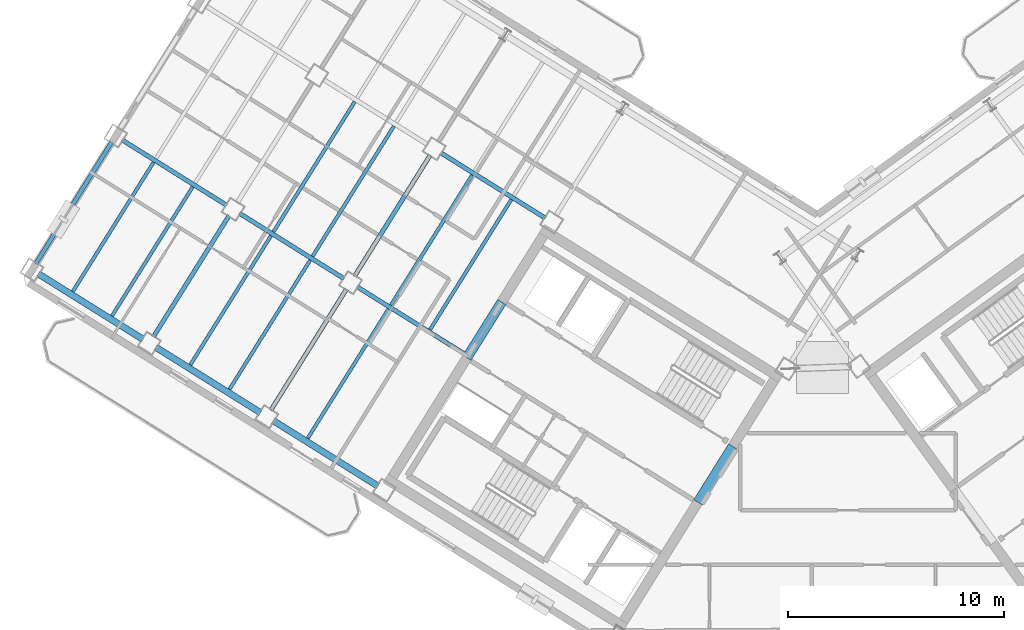
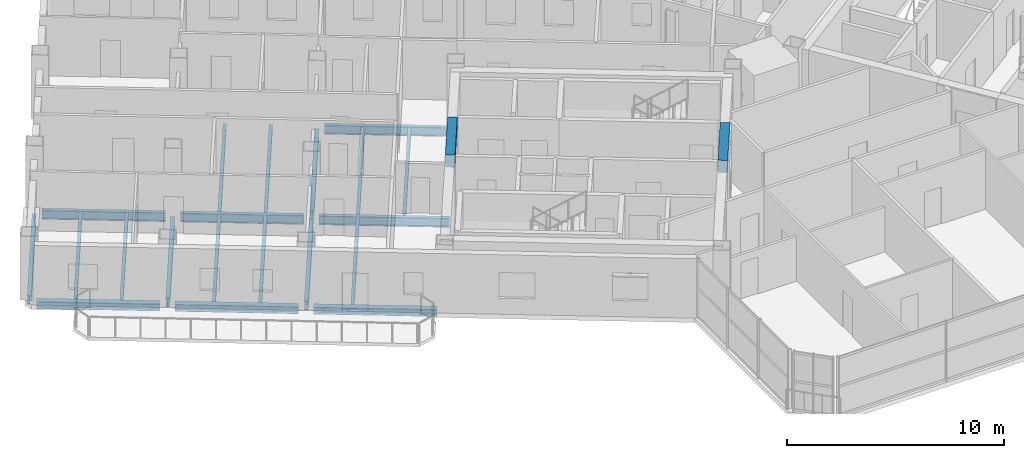
# One storey, part 5 of 23: 22 beams.
"""IFC4 building model written with IfcOpenShell, lengths in metres."""

from ifc_helpers import new_model, si_unit, direction, frame, origin, origin_2d, place, context, subcontext, project, spatial, rectangle, i_section, extrude, source, transform, mapped, material, material_profile, profile_set, type_object, element, save


model = new_model("IFC4")

# Units and contexts
model_context = context("Model", 3, precision=1e-05, world=origin(), true_north=direction((0.0, 1.0)))
body_context = subcontext(model_context, "Body", "Model", "MODEL_VIEW")
ifc_project = project(units=[si_unit("LENGTHUNIT", "METRE"), si_unit("AREAUNIT", "SQUARE_METRE"), si_unit("VOLUMEUNIT", "CUBIC_METRE"), si_unit("PLANEANGLEUNIT", "RADIAN"), si_unit("MASSUNIT", "GRAM", prefix="KILO")], contexts=[model_context])

# Site, building, storey
site_placement = place(None, origin())
site = spatial("IfcSite", under=ifc_project, at=site_placement, CompositionType="ELEMENT")
building_placement = place(site_placement, origin())
building = spatial("IfcBuilding", under=site, at=building_placement, Name="Tlacorven Tower", CompositionType="ELEMENT")
storey_placement = place(building_placement, frame((0.0, 0.0, 218.39990234375)))
storey = spatial("IfcBuildingStorey", under=building, at=storey_placement, Name="L55", CompositionType="ELEMENT", Elevation=218.39990234375)

# Beams
ifc_material_1 = material(Name="Concrete C60/75", Category="concrete")
ifc_material_profile_1 = material_profile(ifc_material_1, rectangle(XDim=0.449951171875, YDim=0.699951171875, at=origin_2d()), Name="RC 450X700")
ifc_profile_set_1 = profile_set([ifc_material_profile_1], Name="Concrete C60/75")
beam_type_1 = type_object("IfcBeamType", Name="BM-LNT-700", PredefinedType="LINTEL", material=ifc_profile_set_1)
shared_shape_1 = source(origin(), body_context, "Body", "SweptSolid", [
    extrude(rectangle(XDim=0.449951171875, YDim=0.699951171875, at=origin_2d()), origin(), (0.0, 0.0, 1.0), 3.050048828125),
])
beam_1_placement = place(storey_placement, frame((38.2998046875, 20.890625, 3.0), z_axis=(-0.529984549635, -0.848007297815, 0.0), x_axis=(0.848007297815, -0.529984549635, 0.0)))
element("IfcBeam", 1, at=beam_1_placement, inside=storey, type_object=beam_type_1, Name="L55 W core coupling lintel beam E1", PredefinedType="LINTEL", context=body_context, shape_type="MappedRepresentation", body=[
    mapped(shared_shape_1, transform((0.0, 0.0, 0.0), scale=1.0)),
])
shared_shape_2 = source(origin(), body_context, "Body", "SweptSolid", [
    extrude(rectangle(XDim=0.449951171875, YDim=0.699951171875, at=origin_2d()), origin(), (0.0, 0.0, 1.0), 3.0498046875),
])
beam_2_placement = place(storey_placement, frame((27.622802734375, 27.562255859375, 3.0), z_axis=(-0.529926983584, -0.848043272522, 0.0), x_axis=(0.848043272522, -0.529926983584, 0.0)))
element("IfcBeam", 2, at=beam_2_placement, inside=storey, type_object=beam_type_1, Name="L55 W core coupling lintel beam E2", PredefinedType="LINTEL", context=body_context, shape_type="MappedRepresentation", body=[
    mapped(shared_shape_2, transform((0.0, 0.0, 0.0), scale=1.0)),
])
ifc_material_2 = material(Name="Steel S355J2", Category="steel")
ifc_material_profile_2 = material_profile(ifc_material_2, i_section(OverallWidth=0.199951171875, OverallDepth=0.5, WebThickness=0.01025390625, FlangeThickness=0.01611328125, at=origin_2d()), Name="IPE 500")
ifc_profile_set_2 = profile_set([ifc_material_profile_2], Name="Steel S355J2")
beam_type_2 = type_object("IfcBeamType", Name="BM-TWR-500", PredefinedType="BEAM", material=ifc_profile_set_2)
shared_shape_3 = source(origin(), body_context, "Body", "SweptSolid", [
    extrude(i_section(OverallWidth=0.199951171875, OverallDepth=0.5, WebThickness=0.01025390625, FlangeThickness=0.01611328125, at=origin_2d()), origin(), (0.0, 0.0, 1.0), 6.010009765625),
])
beam_3_placement = place(storey_placement, frame((26.025634765625, 25.081787109375, -0.5), z_axis=(-0.848043944584, 0.529925908081, 0.0), x_axis=(-0.529925908081, -0.848043944584, 0.0)))
element("IfcBeam", 3, at=beam_3_placement, inside=storey, type_object=beam_type_2, Name="L55 beam BM-L55-WL3-3", PredefinedType="BEAM", context=body_context, shape_type="MappedRepresentation", body=[
    mapped(shared_shape_3, transform((0.0, 0.0, 0.0), scale=1.0)),
])
shared_shape_4 = source(origin(), body_context, "Body", "SweptSolid", [
    extrude(i_section(OverallWidth=0.199951171875, OverallDepth=0.5, WebThickness=0.01025390625, FlangeThickness=0.01611328125, at=origin_2d()), origin(), (0.0, 0.0, 1.0), 5.7001953125),
])
for number, where, z_axis, x_axis, name in (
    (4, (20.335205078125, 28.637451171875, -0.5), (-0.848036800771, 0.529937340199, 0.0), (-0.529937340199, -0.848036800771, 0.0), "L55 beam BM-L55-WL3-4"),
    (5, (14.90771484375, 32.029052734375, -0.5), (-0.848056048787, 0.529906537151, 0.0), (-0.529906537151, -0.848056048787, 0.0), "L55 beam BM-L55-WL3-5"),
):
    element("IfcBeam", number, at=place(storey_placement, frame(where, z_axis=z_axis, x_axis=x_axis)), inside=storey, type_object=beam_type_2, Name=name, PredefinedType="BEAM", context=body_context, shape_type="MappedRepresentation", body=[
        mapped(shared_shape_4, transform((0.0, 0.0, 0.0), scale=1.0)),
    ])
shared_shape_5 = source(origin(), body_context, "Body", "SweptSolid", [
    extrude(i_section(OverallWidth=0.199951171875, OverallDepth=0.5, WebThickness=0.01025390625, FlangeThickness=0.01611328125, at=origin_2d()), origin(), (0.0, 0.0, 1.0), 5.699951171875),
])
beam_4_placement = place(storey_placement, frame((29.631103515625, 31.436767578125, -0.5), z_axis=(-0.848044021115, 0.529925785607, 0.0), x_axis=(-0.529925785607, -0.848044021115, 0.0)))
element("IfcBeam", 6, at=beam_4_placement, inside=storey, type_object=beam_type_2, Name="L55 beam BM-L55-WL2-3", PredefinedType="BEAM", context=body_context, shape_type="MappedRepresentation", body=[
    mapped(shared_shape_5, transform((0.0, 0.0, 0.0), scale=1.0)),
])
shared_shape_6 = source(origin(), body_context, "Body", "SweptSolid", [
    extrude(i_section(OverallWidth=0.199951171875, OverallDepth=0.5, WebThickness=0.01025390625, FlangeThickness=0.01611328125, at=origin_2d()), origin(), (0.0, 0.0, 1.0), 6.599853515625),
])
beam_5_placement = place(storey_placement, frame((24.31494140625, 34.345947265625, -0.5), z_axis=(-0.529942412256, -0.848033631227, 0.0), x_axis=(0.848033631227, -0.529942412256, 0.0)))
element("IfcBeam", 7, at=beam_5_placement, inside=storey, type_object=beam_type_2, Name="L55 beam BM-L55-WT4-2", PredefinedType="BEAM", context=body_context, shape_type="MappedRepresentation", body=[
    mapped(shared_shape_6, transform((0.0, 0.0, 0.0), scale=1.0)),
])
shared_shape_7 = source(origin(), body_context, "Body", "SweptSolid", [
    extrude(i_section(OverallWidth=0.199951171875, OverallDepth=0.5, WebThickness=0.01025390625, FlangeThickness=0.01611328125, at=origin_2d()), origin(), (0.0, 0.0, 1.0), 6.60009765625),
])
for number, where, z_axis, x_axis, name in (
    (8, (20.446533203125, 28.1552734375, -0.5), (-0.529925788294, -0.848044019436, 0.0), (0.848044019436, -0.529925788294, 0.0), "L55 beam BM-L55-WT4-3"),
    (9, (15.01904296875, 31.546875, -0.5), (-0.529925788294, -0.848044019436, 0.0), (0.848044019436, -0.529925788294, 0.0), "L55 beam BM-L55-WT5-3"),
    (10, (9.591552734375, 34.938232421875, -0.5), (-0.529925788294, -0.848044019436, 0.0), (0.848044019436, -0.529925788294, 0.0), "L55 beam BM-L55-WT6-3"),
):
    element("IfcBeam", number, at=place(storey_placement, frame(where, z_axis=z_axis, x_axis=x_axis)), inside=storey, type_object=beam_type_2, Name=name, PredefinedType="BEAM", context=body_context, shape_type="MappedRepresentation", body=[
        mapped(shared_shape_7, transform((0.0, 0.0, 0.0), scale=1.0)),
    ])
ifc_material_profile_3 = material_profile(ifc_material_2, i_section(OverallWidth=0.159912109375, OverallDepth=0.330078125, WebThickness=0.007568359375, FlangeThickness=0.011474609375, at=origin_2d()), Name="IPE 330")
ifc_profile_set_3 = profile_set([ifc_material_profile_3], Name="Steel S355J2")
beam_type_3 = type_object("IfcBeamType", Name="BM-JST-330", PredefinedType="JOIST", material=ifc_profile_set_3)
shared_shape_8 = source(origin(), body_context, "Body", "SweptSolid", [
    extrude(i_section(OverallWidth=0.159912109375, OverallDepth=0.330078125, WebThickness=0.007568359375, FlangeThickness=0.011474609375, at=origin_2d()), origin(), (0.0, 0.0, 1.0), 7.0400390625),
])
for number, where, z_axis, x_axis, name in (
    (11, (18.767333984375, 29.493408203125, -0.414794921875), (-0.529930359501, -0.848041162963, 0.0), (0.848041162963, -0.529930359501, 0.0), "L55 beam BM-L55-WJ4-3-1"),
    (12, (16.9580078125, 30.6240234375, -0.414794921875), (-0.529930359501, -0.848041162963, 0.0), (0.848041162963, -0.529930359501, 0.0), "L55 beam BM-L55-WJ4-3-2"),
    (13, (13.33984375, 32.885009765625, -0.414794921875), (-0.529930359501, -0.848041162963, 0.0), (0.848041162963, -0.529930359501, 0.0), "L55 beam BM-L55-WJ5-3-1"),
):
    element("IfcBeam", number, at=place(storey_placement, frame(where, z_axis=z_axis, x_axis=x_axis)), inside=storey, type_object=beam_type_3, Name=name, PredefinedType="JOIST", context=body_context, shape_type="MappedRepresentation", body=[
        mapped(shared_shape_8, transform((0.0, 0.0, 0.0), scale=1.0)),
    ])
shared_shape_9 = source(origin(), body_context, "Body", "SweptSolid", [
    extrude(i_section(OverallWidth=0.159912109375, OverallDepth=0.330078125, WebThickness=0.007568359375, FlangeThickness=0.011474609375, at=origin_2d()), origin(), (0.0, 0.0, 1.0), 7.090087890625),
])
for number, where, z_axis, x_axis, name in (
    (14, (28.063232421875, 32.292724609375, -0.414794921875), (-0.529912270669, -0.84805246618, 0.0), (0.84805246618, -0.529912270669, 0.0), "L55 beam BM-L55-WJ3-2-1"),
    (15, (26.25390625, 33.42333984375, -0.414794921875), (-0.529912270669, -0.84805246618, 0.0), (0.84805246618, -0.529912270669, 0.0), "L55 beam BM-L55-WJ3-2-2"),
    (16, (22.6357421875, 35.684326171875, -0.414794921875), (-0.529937035031, -0.848036991471, 0.0), (0.848036991471, -0.529937035031, 0.0), "L55 beam BM-L55-WJ4-2-1"),
):
    element("IfcBeam", number, at=place(storey_placement, frame(where, z_axis=z_axis, x_axis=x_axis)), inside=storey, type_object=beam_type_3, Name=name, PredefinedType="JOIST", context=body_context, shape_type="MappedRepresentation", body=[
        mapped(shared_shape_9, transform((0.0, 0.0, 0.0), scale=1.0)),
    ])
shared_shape_10 = source(origin(), body_context, "Body", "SweptSolid", [
    extrude(i_section(OverallWidth=0.159912109375, OverallDepth=0.330078125, WebThickness=0.007568359375, FlangeThickness=0.011474609375, at=origin_2d()), origin(), (0.0, 0.0, 1.0), 7.08984375),
])
beam_6_placement = place(storey_placement, frame((20.826416015625, 36.814697265625, -0.414794921875), z_axis=(-0.529927745663, -0.848042796312, 0.0), x_axis=(0.848042796312, -0.529927745663, 0.0)))
element("IfcBeam", 17, at=beam_6_placement, inside=storey, type_object=beam_type_3, Name="L55 beam BM-L55-WJ4-2-2", PredefinedType="JOIST", context=body_context, shape_type="MappedRepresentation", body=[
    mapped(shared_shape_10, transform((0.0, 0.0, 0.0), scale=1.0)),
])
shared_shape_11 = source(origin(), body_context, "Body", "SweptSolid", [
    extrude(i_section(OverallWidth=0.159912109375, OverallDepth=0.330078125, WebThickness=0.007568359375, FlangeThickness=0.011474609375, at=origin_2d()), origin(), (0.0, 0.0, 1.0), 7.040283203125),
])
for number, where, z_axis, x_axis, name in (
    (18, (22.385498046875, 27.232666015625, -0.414794921875), (-0.529914775015, -0.848050901315, 0.0), (0.848050901315, -0.529914775015, 0.0), "L55 beam BM-L55-WJ3-3-2"),
    (19, (11.530517578125, 34.015625, -0.414794921875), (-0.529914775015, -0.848050901315, 0.0), (0.848050901315, -0.529914775015, 0.0), "L55 beam BM-L55-WJ5-3-2"),
):
    element("IfcBeam", number, at=place(storey_placement, frame(where, z_axis=z_axis, x_axis=x_axis)), inside=storey, type_object=beam_type_3, Name=name, PredefinedType="JOIST", context=body_context, shape_type="MappedRepresentation", body=[
        mapped(shared_shape_11, transform((0.0, 0.0, 0.0), scale=1.0)),
    ])
ifc_material_profile_4 = material_profile(ifc_material_2, i_section(OverallWidth=0.300048828125, OverallDepth=0.389892578125, WebThickness=0.010986328125, FlangeThickness=0.01904296875, at=origin_2d()), Name="HEA 400")
ifc_profile_set_4 = profile_set([ifc_material_profile_4], Name="Steel S355J2")
beam_type_4 = type_object("IfcBeamType", Name="BM-SPN-400", PredefinedType="SPANDREL", material=ifc_profile_set_4)
shared_shape_12 = source(origin(), body_context, "Body", "SweptSolid", [
    extrude(i_section(OverallWidth=0.300048828125, OverallDepth=0.389892578125, WebThickness=0.010986328125, FlangeThickness=0.01904296875, at=origin_2d()), origin(), (0.0, 0.0, 1.0), 5.699951171875),
])
beam_7_placement = place(storey_placement, frame((21.894287109375, 19.055419921875, -0.44482421875), z_axis=(-0.848044021115, 0.529925785607, 0.0), x_axis=(-0.529925785607, -0.848044021115, 0.0)))
element("IfcBeam", 20, at=beam_7_placement, inside=storey, type_object=beam_type_4, Name="L55 beam BM-L55-WL4-3", PredefinedType="SPANDREL", context=body_context, shape_type="MappedRepresentation", body=[
    mapped(shared_shape_12, transform((0.0, 0.0, 0.0), scale=1.0)),
])
shared_shape_13 = source(origin(), body_context, "Body", "SweptSolid", [
    extrude(i_section(OverallWidth=0.300048828125, OverallDepth=0.389892578125, WebThickness=0.010986328125, FlangeThickness=0.01904296875, at=origin_2d()), origin(), (0.0, 0.0, 1.0), 5.7001953125),
])
for number, where, z_axis, x_axis, name in (
    (21, (16.466796875, 22.44677734375, -0.44482421875), (-0.848056048787, 0.529906537151, 0.0), (-0.529906537151, -0.848056048787, 0.0), "L55 beam BM-L55-WL4-4"),
    (22, (11.039306640625, 25.83837890625, -0.44482421875), (-0.848056048787, 0.529906537151, 0.0), (-0.529906537151, -0.848056048787, 0.0), "L55 beam BM-L55-WL4-5"),
):
    element("IfcBeam", number, at=place(storey_placement, frame(where, z_axis=z_axis, x_axis=x_axis)), inside=storey, type_object=beam_type_4, Name=name, PredefinedType="SPANDREL", context=body_context, shape_type="MappedRepresentation", body=[
        mapped(shared_shape_13, transform((0.0, 0.0, 0.0), scale=1.0)),
    ])

save(model, "model.ifc")
